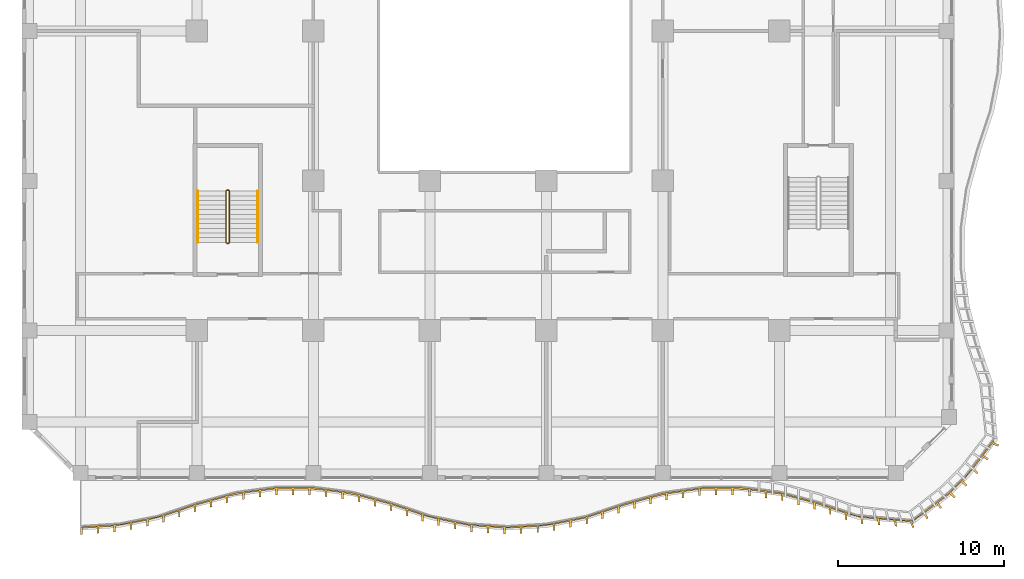
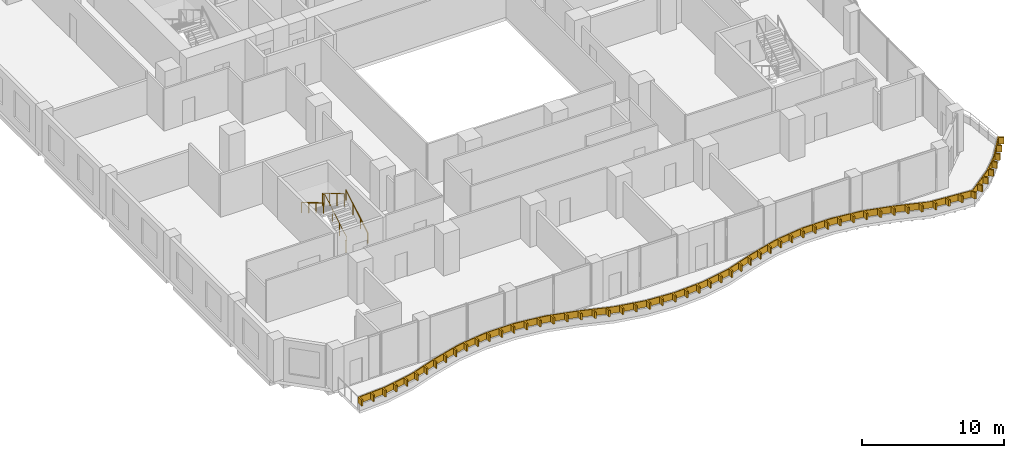
# One storey, part 20 of 23: 3 railings, 1 shading device.
"""IFC4 building model written with IfcOpenShell, lengths in metres."""

from ifc_helpers import new_model, si_unit, direction, frame, origin, origin_2d, place, context, subcontext, project, spatial, polyline, circle, outline, extrude, source, transform, mapped, material, layer, layer_set, type_object, element, save


model = new_model("IFC4")

# Units and contexts
model_context = context("Model", 3, precision=1e-05, world=origin(), true_north=direction((0.0, 1.0)))
body_context = subcontext(model_context, "Body", "Model", "MODEL_VIEW")
ifc_project = project(units=[si_unit("LENGTHUNIT", "METRE"), si_unit("AREAUNIT", "SQUARE_METRE"), si_unit("VOLUMEUNIT", "CUBIC_METRE"), si_unit("PLANEANGLEUNIT", "RADIAN"), si_unit("MASSUNIT", "GRAM", prefix="KILO")], contexts=[model_context])

# Site, building, storey
site_placement = place(None, origin())
site = spatial("IfcSite", under=ifc_project, at=site_placement, CompositionType="ELEMENT")
building_placement = place(site_placement, origin())
building = spatial("IfcBuilding", under=site, at=building_placement, Name="Kilnfold Tower and Market Hall", CompositionType="ELEMENT")
storey_placement = place(building_placement, frame((0.0, 0.0, 55.0)))
storey = spatial("IfcBuildingStorey", under=building, at=storey_placement, Name="L12", CompositionType="ELEMENT", Elevation=55.0)

# Railings
ifc_material_1 = material(Name="Stainless steel 316", Category="steel")
railing_type_1 = type_object("IfcRailingType", Name="CORE STAIR GUARD 1100", PredefinedType="GUARDRAIL", material=ifc_material_1)
railing_1_placement = place(storey_placement, frame((-15.699951171875, -13.75, 0.0)))
element("IfcRailing", 1, at=railing_1_placement, inside=storey, type_object=railing_type_1, Name="L12 ST3 stair guard 1", PredefinedType="GUARDRAIL", context=body_context, shape_type="SweptSolid", body=[
    extrude(circle(Radius=0.02392578125, at=origin_2d()), frame((0.0, 0.0, 1.076171875), z_axis=(1.0, 0.0, 0.0), x_axis=(0.0, 1.0, 0.0)), (0.0, 0.0, 1.0), 0.099853515625),
    extrude(circle(Radius=0.02392578125, at=origin_2d()), frame((0.099853515625, 0.0, 1.076171875), z_axis=(0.27628659633, 0.27628659633, 0.920506074601), x_axis=(-0.707106781187, 0.707106781187, 0.0)), (0.0, 0.0, 1.0), 0.18115234375),
    extrude(circle(Radius=0.02392578125, at=origin_2d()), frame((0.14990234375, 0.050048828125, 1.24267578125), z_axis=(0.0, 0.859290745958, 0.51148745235), x_axis=(-1.0, 0.0, 0.0)), (0.0, 0.0, 1.0), 3.584228515625),
    extrude(circle(Radius=0.02392578125, at=origin_2d()), frame((0.14990234375, 3.1298828125, 3.076171875), z_axis=(-0.707106781187, 0.707106781187, 0.0), x_axis=(-0.707106781187, -0.707106781187, 0.0)), (0.0, 0.0, 1.0), 0.07080078125),
    extrude(circle(Radius=0.02392578125, at=origin_2d()), frame((0.099853515625, 3.179931640625, 3.076171875), z_axis=(-1.0, 0.0, 0.0), x_axis=(0.0, -1.0, 0.0)), (0.0, 0.0, 1.0), 0.099853515625),
    extrude(circle(Radius=0.02392578125, at=origin_2d()), frame((0.0, 3.179931640625, 3.076171875), z_axis=(-0.27628659633, -0.27628659633, 0.920506074601), x_axis=(0.707106781187, -0.707106781187, 0.0)), (0.0, 0.0, 1.0), 0.18115234375),
    extrude(circle(Radius=0.02392578125, at=origin_2d()), frame((-0.050048828125, 3.1298828125, 3.24267578125), z_axis=(0.0, -0.859290745958, 0.51148745235), x_axis=(1.0, 0.0, 0.0)), (0.0, 0.0, 1.0), 3.584228515625),
    extrude(circle(Radius=0.02099609375, at=origin_2d()), origin(), (0.0, 0.0, 1.0), 1.052001953125),
    extrude(circle(Radius=0.02099609375, at=origin_2d()), frame((0.099853515625, 0.0, 0.0)), (0.0, 0.0, 1.0), 1.052001953125),
    extrude(circle(Radius=0.02099609375, at=origin_2d()), frame((0.14990234375, 0.050048828125, 0.166748046875)), (0.0, 0.0, 1.0), 1.052001953125),
    extrude(circle(Radius=0.02099609375, at=origin_2d()), frame((0.14990234375, 1.07666015625, 0.77783203125)), (0.0, 0.0, 1.0), 1.052001953125),
    extrude(circle(Radius=0.02099609375, at=origin_2d()), frame((0.14990234375, 2.103271484375, 1.388916015625)), (0.0, 0.0, 1.0), 1.052001953125),
    extrude(circle(Radius=0.02099609375, at=origin_2d()), frame((0.14990234375, 3.1298828125, 2.0)), (0.0, 0.0, 1.0), 1.052001953125),
    extrude(circle(Radius=0.02099609375, at=origin_2d()), frame((0.099853515625, 3.179931640625, 2.0)), (0.0, 0.0, 1.0), 1.052001953125),
    extrude(circle(Radius=0.02099609375, at=origin_2d()), frame((0.0, 3.179931640625, 2.0)), (0.0, 0.0, 1.0), 1.052001953125),
    extrude(circle(Radius=0.02099609375, at=origin_2d()), frame((-0.050048828125, 3.1298828125, 2.166748046875)), (0.0, 0.0, 1.0), 1.052001953125),
    extrude(circle(Radius=0.02099609375, at=origin_2d()), frame((-0.050048828125, 2.103271484375, 2.77783203125)), (0.0, 0.0, 1.0), 1.052001953125),
    extrude(circle(Radius=0.02099609375, at=origin_2d()), frame((-0.050048828125, 1.07666015625, 3.388916015625)), (0.0, 0.0, 1.0), 1.052001953125),
    extrude(circle(Radius=0.02099609375, at=origin_2d()), frame((-0.050048828125, 0.050048828125, 4.0)), (0.0, 0.0, 1.0), 1.052001953125),
])
ifc_material_2 = material(Name="Stainless steel 316", Category="steel")
railing_type_2 = type_object("IfcRailingType", Name="CORE STAIR HANDRAIL 900", PredefinedType="HANDRAIL", material=ifc_material_2)
railing_2_placement = place(storey_placement, frame((-13.85009765625, -13.699951171875, 0.166748046875)))
element("IfcRailing", 2, at=railing_2_placement, inside=storey, type_object=railing_type_2, Name="L12 ST3 stair handrail 1", PredefinedType="HANDRAIL", context=body_context, shape_type="SweptSolid", body=[
    extrude(circle(Radius=0.02392578125, at=origin_2d()), frame((0.0, 0.0, 0.8759765625), z_axis=(0.0, 0.859290745958, 0.51148745235), x_axis=(-1.0, 0.0, 0.0)), (0.0, 0.0, 1.0), 3.584228515625),
    extrude(circle(Radius=0.02099609375, at=origin_2d()), origin(), (0.0, 0.0, 1.0), 0.851806640625),
    extrude(circle(Radius=0.02099609375, at=origin_2d()), frame((0.0, 1.026611328125, 0.611083984375)), (0.0, 0.0, 1.0), 0.851806640625),
    extrude(circle(Radius=0.02099609375, at=origin_2d()), frame((0.0, 2.05322265625, 1.22216796875)), (0.0, 0.0, 1.0), 0.851806640625),
    extrude(circle(Radius=0.02099609375, at=origin_2d()), frame((0.0, 3.079833984375, 1.833251953125)), (0.0, 0.0, 1.0), 0.851806640625),
])
railing_3_placement = place(storey_placement, frame((-17.449951171875, -10.6201171875, 2.166748046875)))
element("IfcRailing", 3, at=railing_3_placement, inside=storey, type_object=railing_type_2, Name="L12 ST3 stair handrail 2", PredefinedType="HANDRAIL", context=body_context, shape_type="SweptSolid", body=[
    extrude(circle(Radius=0.02392578125, at=origin_2d()), frame((0.0, 0.0, 0.8759765625), z_axis=(0.0, -0.859290745958, 0.51148745235), x_axis=(1.0, 0.0, 0.0)), (0.0, 0.0, 1.0), 3.584228515625),
    extrude(circle(Radius=0.02099609375, at=origin_2d()), origin(), (0.0, 0.0, 1.0), 0.851806640625),
    extrude(circle(Radius=0.02099609375, at=origin_2d()), frame((0.0, -1.026611328125, 0.611083984375)), (0.0, 0.0, 1.0), 0.851806640625),
    extrude(circle(Radius=0.02099609375, at=origin_2d()), frame((0.0, -2.05322265625, 1.22216796875)), (0.0, 0.0, 1.0), 0.851806640625),
    extrude(circle(Radius=0.02099609375, at=origin_2d()), frame((0.0, -3.079833984375, 1.833251953125)), (0.0, 0.0, 1.0), 0.851806640625),
])

# Shading device
ifc_material_3 = material(Name="Bronze anodised aluminium", Category="aluminium")
ifc_layer = layer(ifc_material_3, 0.550048828125)
ifc_layer_set = layer_set([ifc_layer], Name="Bronze anodised aluminium")
shading_device_type = type_object("IfcShadingDeviceType", Name="BRONZE SLAT FASCIA 550", PredefinedType="USERDEFINED", material=ifc_layer_set)
shared_shape = source(origin(), body_context, "Body", "SweptSolid", [
    extrude(outline(polyline([(-24.5, -31.25), (-24.5, -30.800048828125), (-22.166748046875, -30.646728515625), (-19.833251953125, -30.17919921875), (-17.5, -29.392333984375), (-15.166748046875, -28.753662109375), (-12.833251953125, -28.4404296875), (-10.5, -28.435791015625), (-8.166748046875, -28.739501953125), (-5.833251953125, -29.367919921875), (-3.5, -30.159912109375), (-1.166748046875, -30.637451171875), (1.166748046875, -30.7998046875), (3.5, -30.656005859375), (5.833251953125, -30.1982421875), (8.166748046875, -29.4169921875), (10.5, -28.76806640625), (12.833251953125, -28.4453125), (15.166748046875, -28.431396484375), (17.5, -28.7255859375), (19.833251953125, -29.34375), (22.166748046875, -30.14013671875), (25.505615234375, -30.427490234375), (27.633056640625, -28.7998046875), (28.7998046875, -27.633056640625), (30.378662109375, -25.569580078125), (30.364013671875, -25.715087890625), (30.699951171875, -25.866943359375), (30.624755859375, -25.9658203125), (30.2919921875, -25.80859375), (29.765869140625, -26.4951171875), (30.073974609375, -26.691650390625), (29.998779296875, -26.79052734375), (29.6943359375, -26.5888671875), (29.169921875, -27.276611328125), (29.447998046875, -27.516357421875), (29.372802734375, -27.615234375), (29.0986328125, -27.37060546875), (28.522216796875, -28.023681640625), (28.78369140625, -28.285400390625), (28.698974609375, -28.370361328125), (28.437255859375, -28.108642578125), (27.81494140625, -28.73095703125), (28.07666015625, -28.992431640625), (27.99169921875, -29.077392578125), (27.72998046875, -28.815673828125), (27.0458984375, -29.345703125), (27.272705078125, -29.6328125), (27.173828125, -29.7080078125), (26.951904296875, -29.417236328125), (26.264892578125, -29.9423828125), (26.447998046875, -30.2587890625), (26.34912109375, -30.333984375), (26.171142578125, -30.013916015625), (25.47119140625, -30.49609375), (25.610107421875, -30.83837890625), (25.4873046875, -30.82958984375), (25.35302734375, -30.48583984375), (24.4873046875, -30.412109375), (24.58544921875, -30.7646484375), (24.46240234375, -30.755859375), (24.369384765625, -30.402099609375), (23.504150390625, -30.32958984375), (23.560791015625, -30.690673828125), (23.437744140625, -30.681884765625), (23.385986328125, -30.31982421875), (22.52099609375, -30.248779296875), (22.535888671875, -30.61669921875), (22.412841796875, -30.60791015625), (22.403076171875, -30.2392578125), (21.561279296875, -30.013427734375), (21.561279296875, -30.383544921875), (21.44775390625, -30.3447265625), (21.44775390625, -29.974853515625), (20.614990234375, -29.6904296875), (20.614990234375, -30.060546875), (20.501220703125, -30.021728515625), (20.501220703125, -29.651611328125), (19.6650390625, -29.379150390625), (19.6650390625, -29.7490234375), (19.549072265625, -29.718505859375), (19.549072265625, -29.348388671875), (18.6982421875, -29.123046875), (18.6982421875, -29.492919921875), (18.582275390625, -29.46240234375), (18.582275390625, -29.09228515625), (17.731689453125, -28.866943359375), (17.731689453125, -29.237060546875), (17.61572265625, -29.206298828125), (17.61572265625, -28.836181640625), (16.74560546875, -28.71044921875), (16.74560546875, -29.08056640625), (16.626708984375, -29.0654296875), (16.626708984375, -28.695556640625), (15.75341796875, -28.58544921875), (15.75341796875, -28.95556640625), (15.634521484375, -28.9404296875), (15.634521484375, -28.570556640625), (14.758056640625, -28.513916015625), (14.758056640625, -28.8837890625), (14.63818359375, -28.884521484375), (14.63818359375, -28.5146484375), (13.75830078125, -28.52001953125), (13.75830078125, -28.889892578125), (13.63818359375, -28.890625), (13.63818359375, -28.5205078125), (12.7587890625, -28.53564453125), (12.7587890625, -28.90576171875), (12.639892578125, -28.922119140625), (12.639892578125, -28.552001953125), (11.768310546875, -28.672607421875), (11.768310546875, -29.042724609375), (11.6494140625, -29.05908203125), (11.6494140625, -28.689208984375), (10.777587890625, -28.809814453125), (10.777587890625, -29.1796875), (10.658935546875, -29.196044921875), (10.658935546875, -28.826171875), (9.806640625, -29.041015625), (9.806640625, -29.410888671875), (9.691162109375, -29.443115234375), (9.691162109375, -29.072998046875), (8.84326171875, -29.308837890625), (8.84326171875, -29.678955078125), (8.727783203125, -29.711181640625), (8.727783203125, -29.341064453125), (7.884521484375, -29.591552734375), (7.884521484375, -29.961669921875), (7.7705078125, -29.999755859375), (7.7705078125, -29.629638671875), (6.93603515625, -29.908935546875), (6.93603515625, -30.279052734375), (6.822265625, -30.317138671875), (6.822265625, -29.947021484375), (5.98779296875, -30.2265625), (5.98779296875, -30.596435546875), (5.8740234375, -30.634521484375), (5.8740234375, -30.2646484375), (5.011962890625, -30.439453125), (5.011962890625, -30.809326171875), (4.89404296875, -30.83251953125), (4.89404296875, -30.46240234375), (4.030517578125, -30.6318359375), (4.030517578125, -31.001953125), (3.912841796875, -31.02490234375), (3.912841796875, -30.655029296875), (3.04150390625, -30.764404296875), (3.04150390625, -31.13427734375), (2.921875, -31.1416015625), (2.921875, -30.771728515625), (2.04345703125, -30.82568359375), (2.04345703125, -31.19580078125), (1.923583984375, -31.203125), (1.923583984375, -30.833251953125), (1.04541015625, -30.87158203125), (1.04541015625, -31.241455078125), (0.92578125, -31.233154296875), (0.92578125, -30.863037109375), (0.0478515625, -30.802001953125), (0.0478515625, -31.172119140625), (-0.072021484375, -31.16357421875), (-0.072021484375, -30.793701171875), (-0.94970703125, -30.732421875), (-0.94970703125, -31.1025390625), (-1.0693359375, -31.09423828125), (-1.0693359375, -30.72412109375), (-1.933349609375, -30.560546875), (-1.933349609375, -30.930419921875), (-2.05078125, -30.906494140625), (-2.05078125, -30.53662109375), (-2.9130859375, -30.360107421875), (-2.9130859375, -30.72998046875), (-3.030517578125, -30.7060546875), (-3.030517578125, -30.3359375), (-3.879638671875, -30.111083984375), (-3.879638671875, -30.48095703125), (-3.9931640625, -30.4423828125), (-3.9931640625, -30.072509765625), (-4.826416015625, -29.78955078125), (-4.826416015625, -30.15966796875), (-4.940185546875, -30.12109375), (-4.940185546875, -29.7509765625), (-5.7734375, -29.468017578125), (-5.7734375, -29.838134765625), (-5.88818359375, -29.802978515625), (-5.88818359375, -29.43310546875), (-6.73779296875, -29.2041015625), (-6.73779296875, -29.57421875), (-6.853759765625, -29.54296875), (-6.853759765625, -29.173095703125), (-7.70361328125, -28.944091796875), (-7.70361328125, -29.314208984375), (-7.8193359375, -29.282958984375), (-7.8193359375, -28.9130859375), (-8.6826171875, -28.75244140625), (-8.6826171875, -29.122314453125), (-8.801513671875, -29.10693359375), (-8.801513671875, -28.73681640625), (-9.67431640625, -28.623291015625), (-9.67431640625, -28.993408203125), (-9.793212890625, -28.977783203125), (-9.793212890625, -28.60791015625), (-10.667236328125, -28.51611328125), (-10.667236328125, -28.88623046875), (-10.787353515625, -28.886474609375), (-10.787353515625, -28.5166015625), (-11.667236328125, -28.518310546875), (-11.667236328125, -28.88818359375), (-11.787353515625, -28.888427734375), (-11.787353515625, -28.518310546875), (-12.667236328125, -28.520263671875), (-12.667236328125, -28.89013671875), (-12.787353515625, -28.890380859375), (-12.787353515625, -28.5205078125), (-13.659912109375, -28.63134765625), (-13.659912109375, -29.00146484375), (-13.77880859375, -29.017333984375), (-13.77880859375, -28.6474609375), (-14.65087890625, -28.764404296875), (-14.65087890625, -29.134521484375), (-14.77001953125, -29.150390625), (-14.77001953125, -28.780517578125), (-15.62939453125, -28.960205078125), (-15.62939453125, -29.330078125), (-15.7451171875, -29.36181640625), (-15.7451171875, -28.991943359375), (-16.593994140625, -29.224365234375), (-16.593994140625, -29.59423828125), (-16.709716796875, -29.6259765625), (-16.709716796875, -29.255859375), (-17.557373046875, -29.49169921875), (-17.557373046875, -29.861572265625), (-17.671142578125, -29.89990234375), (-17.671142578125, -29.530029296875), (-18.5048828125, -29.811279296875), (-18.5048828125, -30.18115234375), (-18.61865234375, -30.219482421875), (-18.61865234375, -29.849609375), (-19.452392578125, -30.130859375), (-19.452392578125, -30.500732421875), (-19.566162109375, -30.5390625), (-19.566162109375, -30.169189453125), (-20.419921875, -30.376708984375), (-20.419921875, -30.74658203125), (-20.537353515625, -30.770263671875), (-20.537353515625, -30.400390625), (-21.400390625, -30.5732421875), (-21.400390625, -30.943115234375), (-21.517822265625, -30.966796875), (-21.517822265625, -30.5966796875), (-22.384521484375, -30.7412109375), (-22.384521484375, -31.111083984375), (-22.50439453125, -31.118896484375), (-22.50439453125, -30.7490234375), (-23.38232421875, -30.806640625), (-23.38232421875, -31.176513671875), (-23.502197265625, -31.1845703125), (-23.502197265625, -30.814453125), (-24.38037109375, -30.8720703125), (-24.38037109375, -31.2421875), (-24.5, -31.25)])), origin(), (0.0, 0.0, 1.0), 0.550048828125),
])
shading_device_placement = place(storey_placement, frame((0.0, 0.0, 0.550048828125)))
element("IfcShadingDevice", 4, at=shading_device_placement, inside=storey, type_object=shading_device_type, Name="Balcony slat fascia L12", ObjectType="SLAT", PredefinedType="USERDEFINED", context=body_context, shape_type="MappedRepresentation", body=[
    mapped(shared_shape, transform((0.0, 0.0, 0.0))),
])

save(model, "model.ifc")
